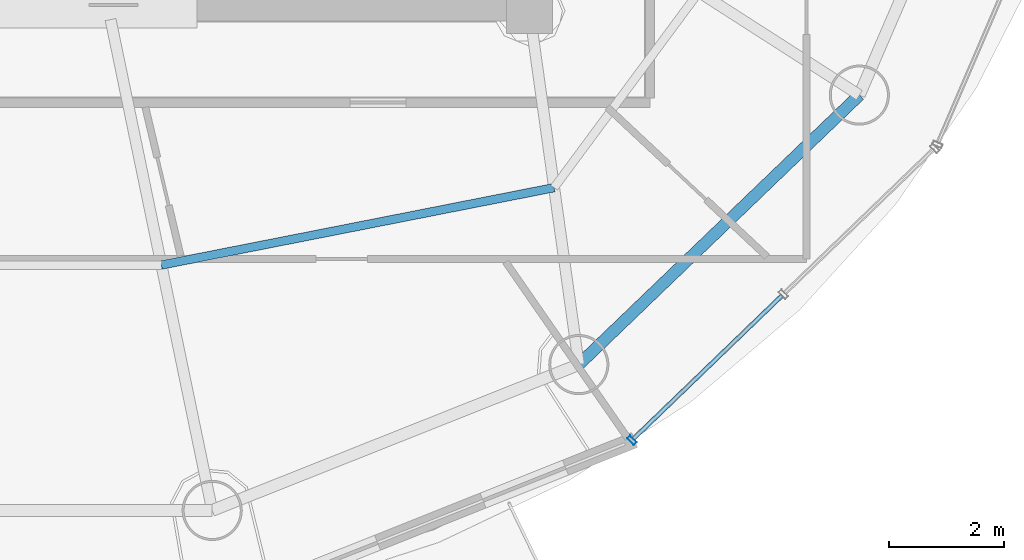
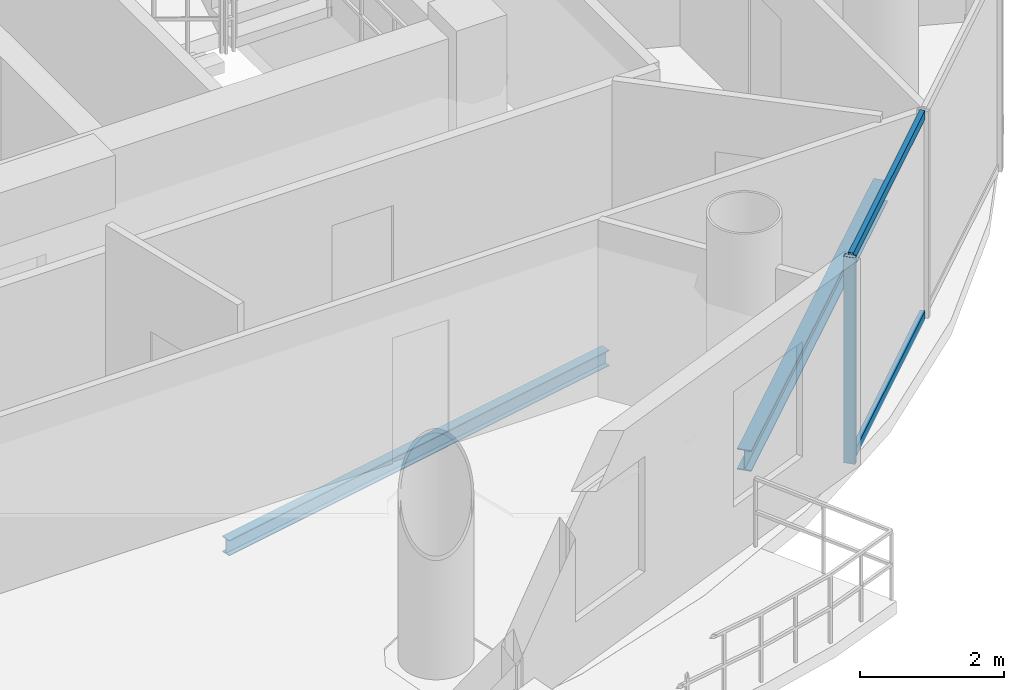
# One storey, part 6 of 23: 3 members, 2 beams, 1 element without a shape of its own.
"""IFC4 building model written with IfcOpenShell, lengths in metres."""

from ifc_helpers import new_model, si_unit, direction, frame, origin, origin_2d, place, context, subcontext, project, spatial, hollow_rectangle, i_section, extrude, source, transform, mapped, material, material_profile, profile_set, type_object, element, aggregate, save


model = new_model("IFC4")

# Units and contexts
model_context = context("Model", 3, precision=1e-05, world=origin(), true_north=direction((-0.2419218956, 0.970295726276)))
body_context = subcontext(model_context, "Body", "Model", "MODEL_VIEW")
ifc_project = project(units=[si_unit("LENGTHUNIT", "METRE"), si_unit("AREAUNIT", "SQUARE_METRE"), si_unit("VOLUMEUNIT", "CUBIC_METRE"), si_unit("PLANEANGLEUNIT", "RADIAN"), si_unit("MASSUNIT", "GRAM", prefix="KILO")], contexts=[model_context])

# Site, building, storey
site_placement = place(None, origin())
site = spatial("IfcSite", under=ifc_project, at=site_placement, CompositionType="ELEMENT")
building_placement = place(site_placement, origin())
building = spatial("IfcBuilding", under=site, at=building_placement, Name="Cobrevalo Terracotta Tower", CompositionType="ELEMENT")
storey_placement = place(building_placement, frame((0.0, 0.0, 251.949951171875)))
storey = spatial("IfcBuildingStorey", under=building, at=storey_placement, Name="L66", CompositionType="ELEMENT", Elevation=251.949951171875)

# Beams
ifc_material_1 = material(Name="Steel S355", Category="steel")
ifc_material_profile_1 = material_profile(ifc_material_1, i_section(OverallWidth=0.14794921875, OverallDepth=0.26611328125, WebThickness=0.007568359375, FlangeThickness=0.012939453125, at=origin_2d()), Name="W 250x44.8")
ifc_profile_set_1 = profile_set([ifc_material_profile_1], Name="Steel S355")
beam_type_1 = type_object("IfcBeamType", Name="Structural Joist W 250x44.8 (Steel S355)", PredefinedType="JOIST", material=ifc_profile_set_1)
beam_1_placement = place(storey_placement, frame((40.57568359375, 14.361328125, -0.39306640625), z_axis=(0.981145060421, 0.193272787563, 0.0), x_axis=(-0.193272787563, 0.981145060421, 0.0)))
element("IfcBeam", 1, at=beam_1_placement, inside=storey, type_object=beam_type_1, Name="L66 circumferential secondary floor joist 13", PredefinedType="JOIST", context=body_context, shape_type="SweptSolid", body=[
    extrude(i_section(OverallWidth=0.14794921875, OverallDepth=0.26611328125, WebThickness=0.007568359375, FlangeThickness=0.012939453125, at=origin_2d()), origin(), (0.0, 0.0, 1.0), 6.98681640625),
])
ifc_material_profile_2 = material_profile(ifc_material_1, i_section(OverallWidth=0.205078125, OverallDepth=0.35400390625, WebThickness=0.009521484375, FlangeThickness=0.016845703125, at=origin_2d()), Name="W 360x79")
ifc_profile_set_2 = profile_set([ifc_material_profile_2], Name="Steel S355")
beam_type_2 = type_object("IfcBeamType", Name="Structural Spandrel W 360x79 (Steel S355)", PredefinedType="SPANDREL", material=ifc_profile_set_2)
beam_2_placement = place(storey_placement, frame((47.861328125, 12.62353515625, -0.43701171875), z_axis=(0.721183246144, 0.692744343522, 0.0), x_axis=(-0.692744343522, 0.721183246144, 0.0)))
element("IfcBeam", 2, at=beam_2_placement, inside=storey, type_object=beam_type_2, Name="L66 perimeter ring spandrel 14", PredefinedType="SPANDREL", context=body_context, shape_type="SweptSolid", body=[
    extrude(i_section(OverallWidth=0.205078125, OverallDepth=0.35400390625, WebThickness=0.009521484375, FlangeThickness=0.016845703125, at=origin_2d()), origin(), (0.0, 0.0, 1.0), 6.79052734375),
])

# Curtain wall, members
ifc_material_2 = material(Name="Anodized aluminium", Category="aluminium")
curtain_wall_type = type_object("IfcCurtainWallType", Name="Upper-tower triple-glazed penthouse curtain wall CW-U3", PredefinedType="NOTDEFINED", material=ifc_material_2)
curtain_wall_placement = place(storey_placement, origin())
curtain_wall = element("IfcCurtainWall", 3, at=curtain_wall_placement, inside=storey, type_object=curtain_wall_type, Name="L66 curtain wall CW-L66-S14", PredefinedType="NOTDEFINED")
ifc_material_profile_3 = material_profile(ifc_material_2, hollow_rectangle(XDim=0.070068359375, YDim=0.169921875, WallThickness=0.00439453125, at=origin_2d()), Name="CWM 70x170")
ifc_profile_set_3 = profile_set([ifc_material_profile_3], Name="Anodized aluminium")
member_type_1 = type_object("IfcMemberType", Name="Upper tower unitised mullion 70x170", PredefinedType="MULLION", material=ifc_profile_set_3)
shared_shape_1 = source(origin(), body_context, "Body", "SweptSolid", [
    extrude(hollow_rectangle(XDim=0.070068359375, YDim=0.169921875, WallThickness=0.00439453125, at=origin_2d()), origin(), (0.0, 0.0, 1.0), 3.489990234375),
])
member_1_placement = place(storey_placement, frame((48.790283203125, 11.30419921875, 0.0), z_axis=(0.0, 0.0, 1.0), x_axis=(0.71999418085, 0.69398010025, 0.0)))
member_1 = element("IfcMember", 4, at=member_1_placement, type_object=member_type_1, Name="CW-L66-S14 vertical mullion 01", PredefinedType="MULLION", context=body_context, shape_type="MappedRepresentation", body=[
    mapped(shared_shape_1, transform((0.0, 0.0, 0.0), scale=1.0)),
])
ifc_material_profile_4 = material_profile(ifc_material_2, hollow_rectangle(XDim=0.074951171875, YDim=0.14990234375, WallThickness=0.00439453125, at=origin_2d()), Name="CWT 75x150")
ifc_profile_set_4 = profile_set([ifc_material_profile_4], Name="Anodized aluminium")
member_type_2 = type_object("IfcMemberType", Name="Tower unitised aluminium transom 75x150", PredefinedType="USERDEFINED", material=ifc_profile_set_4)
shared_shape_2 = source(origin(), body_context, "Body", "SweptSolid", [
    extrude(hollow_rectangle(XDim=0.074951171875, YDim=0.14990234375, WallThickness=0.00439453125, at=origin_2d()), origin(), (0.0, 0.0, 1.0), 3.59130859375),
])
member_2_placement = place(storey_placement, frame((48.819091796875, 11.33203125, 0.050048828125), z_axis=(0.720005628362, 0.693968223427, 0.0), x_axis=(-0.693968223427, 0.720005628362, 0.0)))
member_2 = element("IfcMember", 5, at=member_2_placement, type_object=member_type_2, Name="CW-L66-S14 transom B01-T1", ObjectType="TRANSOM", PredefinedType="USERDEFINED", context=body_context, shape_type="MappedRepresentation", body=[
    mapped(shared_shape_2, transform((0.0, 0.0, 0.0), scale=1.0)),
])
member_3_placement = place(storey_placement, frame((48.819091796875, 11.33203125, 3.43994140625), z_axis=(0.720005628362, 0.693968223427, 0.0), x_axis=(-0.693968223427, 0.720005628362, 0.0)))
member_3 = element("IfcMember", 6, at=member_3_placement, type_object=member_type_2, Name="CW-L66-S14 transom B01-T2", ObjectType="TRANSOM", PredefinedType="USERDEFINED", context=body_context, shape_type="MappedRepresentation", body=[
    mapped(shared_shape_2, transform((0.0, 0.0, 0.0), scale=1.0)),
])
aggregate(curtain_wall, [member_1, member_2, member_3])

save(model, "model.ifc")
